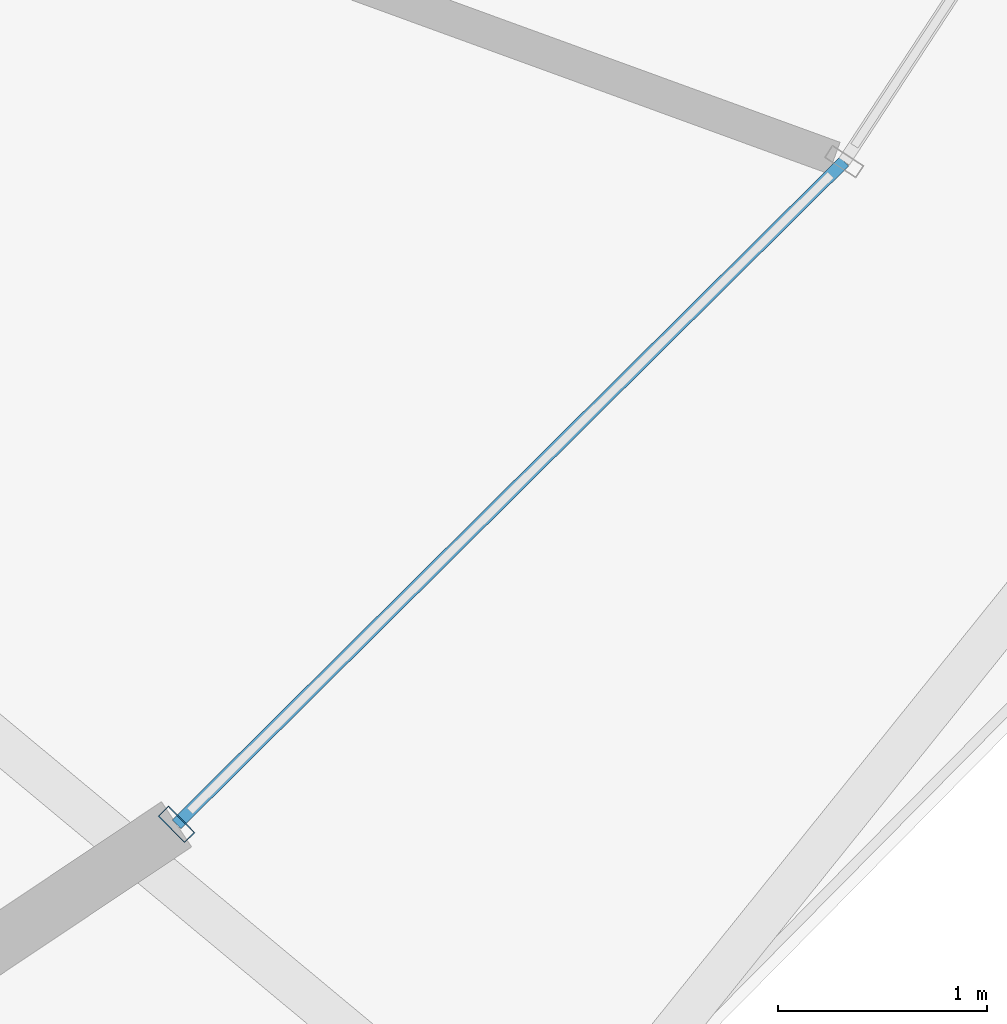
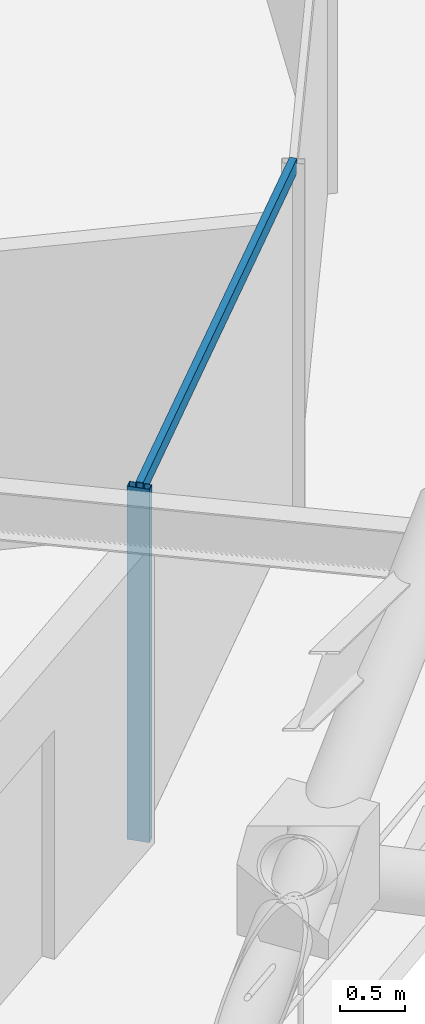
# One storey, part 7 of 19: 2 members, 1 element without a shape of its own.
"""IFC4 building model written with IfcOpenShell, lengths in metres."""

from ifc_helpers import new_model, si_unit, direction, frame, origin, origin_2d, place, context, subcontext, project, spatial, hollow_rectangle, extrude, material, layer, layer_set, material_profile, profile_set, type_object, element, aggregate, save


model = new_model("IFC4")

# Units and contexts
model_context = context("Model", 3, precision=1e-05, world=origin(), true_north=direction((0.0, 1.0)))
body_context = subcontext(model_context, "Body", "Model", "MODEL_VIEW")
ifc_project = project(units=[si_unit("LENGTHUNIT", "METRE"), si_unit("AREAUNIT", "SQUARE_METRE"), si_unit("VOLUMEUNIT", "CUBIC_METRE"), si_unit("PLANEANGLEUNIT", "RADIAN"), si_unit("MASSUNIT", "GRAM", prefix="KILO")], contexts=[model_context])

# Site, building, storey
site_placement = place(None, origin())
site = spatial("IfcSite", under=ifc_project, at=site_placement, CompositionType="ELEMENT")
building_placement = place(site_placement, origin())
building = spatial("IfcBuilding", under=site, at=building_placement, Name="Veldorina Hangang Commons", CompositionType="ELEMENT")
storey_placement = place(building_placement, frame((0.0, 0.0, 160.39990234375)))
storey = spatial("IfcBuildingStorey", under=building, at=storey_placement, Name="L41", CompositionType="ELEMENT", Elevation=160.39990234375)

# Curtain wall, members
ifc_material_1 = material(Name="Glass Low-E Triple IGU", Category="glass")
ifc_layer = layer(ifc_material_1, 0.179931640625)
ifc_layer_set = layer_set([ifc_layer], Name="Glass Low-E Triple IGU")
curtain_wall_type = type_object("IfcCurtainWallType", Name="CW-SYS-Z2", PredefinedType="NOTDEFINED", material=ifc_layer_set)
curtain_wall_placement = place(storey_placement, origin())
curtain_wall = element("IfcCurtainWall", 1, at=curtain_wall_placement, inside=storey, type_object=curtain_wall_type, Name="L41 unitised curtain wall CW-L41-R2", PredefinedType="NOTDEFINED")
ifc_material_2 = material(Name="Aluminium Anodized AA6063-T6", Category="aluminium")
ifc_material_profile_1 = material_profile(ifc_material_2, hollow_rectangle(XDim=0.070068359375, YDim=0.179931640625, WallThickness=0.00390625, at=origin_2d()), Name="ALU-RHS-180x70x4")
ifc_profile_set_1 = profile_set([ifc_material_profile_1], Name="Aluminium Anodized AA6063-T6")
member_type_1 = type_object("IfcMemberType", Name="CW-MUL-180", PredefinedType="MULLION", material=ifc_profile_set_1)
member_1_placement = place(storey_placement, frame((50.150634765625, 9.212890625, 0.0), z_axis=(0.0, 0.0, 1.0), x_axis=(0.709681411465, 0.70452274216, 0.0)))
member_1 = element("IfcMember", 2, at=member_1_placement, type_object=member_type_1, Name="CW-L41-R2 vertical mullion 1", PredefinedType="MULLION", context=body_context, shape_type="SweptSolid", body=[
    extrude(hollow_rectangle(XDim=0.070068359375, YDim=0.179931640625, WallThickness=0.00390625, at=origin_2d()), origin(), (0.0, 0.0, 1.0), 3.31005859375),
])
ifc_material_profile_2 = material_profile(ifc_material_2, hollow_rectangle(XDim=0.06005859375, YDim=0.139892578125, WallThickness=0.00341796875, at=origin_2d()), Name="ALU-RHS-140x60x3.5")
ifc_profile_set_2 = profile_set([ifc_material_profile_2], Name="Aluminium Anodized AA6063-T6")
member_type_2 = type_object("IfcMemberType", Name="CW-TRN-140", PredefinedType="USERDEFINED", material=ifc_profile_set_2)
member_2_placement = place(storey_placement, frame((50.150634765625, 9.212890625, 3.27001953125), z_axis=(0.709680269352, 0.704523892634, 0.0), x_axis=(-0.704523892634, 0.709680269352, 0.0)))
member_2 = element("IfcMember", 3, at=member_2_placement, type_object=member_type_2, Name="CW-L41-R2 facet 1 transom 1", ObjectType="TRANSOM", PredefinedType="USERDEFINED", context=body_context, shape_type="SweptSolid", body=[
    extrude(hollow_rectangle(XDim=0.06005859375, YDim=0.139892578125, WallThickness=0.00341796875, at=origin_2d()), origin(), (0.0, 0.0, 1.0), 4.498046875),
])
aggregate(curtain_wall, [member_1, member_2])

save(model, "model.ifc")
